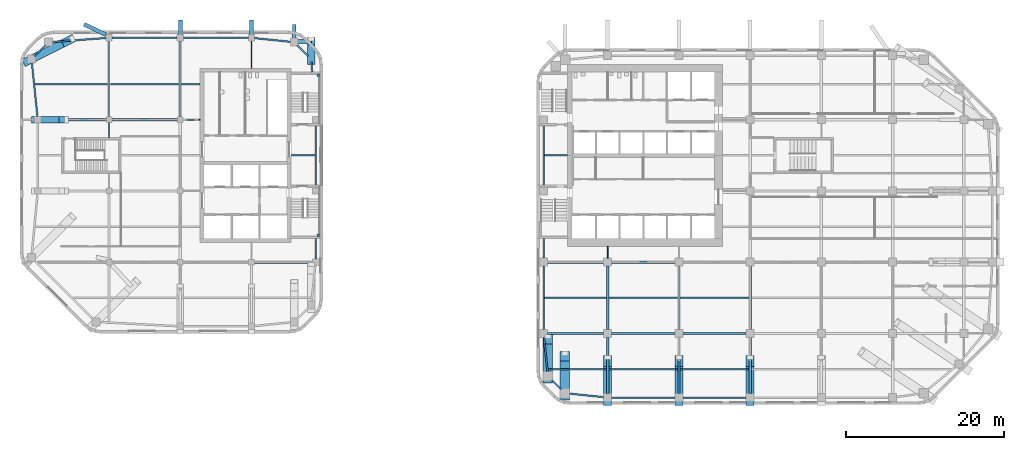
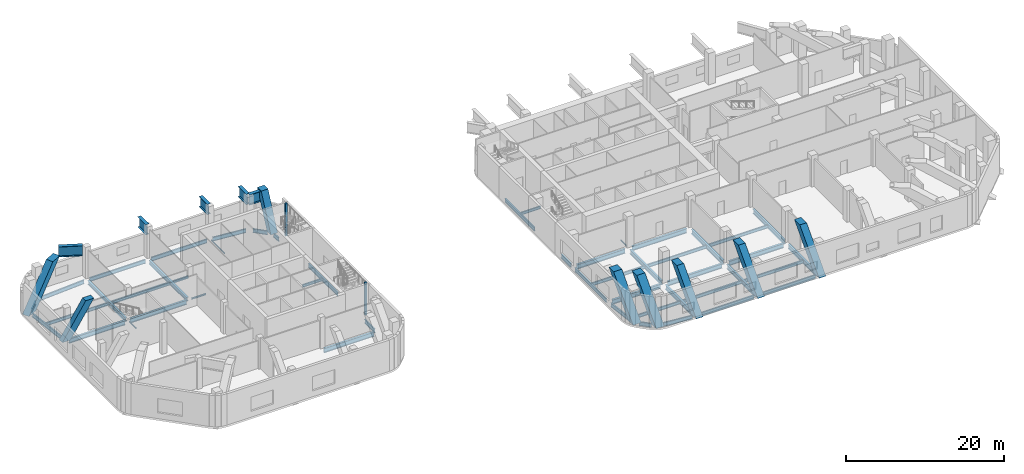
# One storey, part 2 of 14: 54 beams, 10 members.
"""IFC4 building model written with IfcOpenShell, lengths in metres."""

import ifcopenshell
import ifcopenshell.guid

model = None  # the IFC model being written
_history = None  # IfcOwnerHistory: only IFC2X3 demands one
_inside = {}  # id of a spatial element -> (the spatial element, [elements in it])
_under = {}  # id of a project, library or spatial element -> (it, [spatial elements below it])
_declared = {}  # id of a project -> (the project, [libraries it declares])
_typed = {}  # id of a type object -> (the type object, [elements of that type])
_made_of = {}  # id of a material, layer set ... -> (it, [elements and type objects made of it])


def new_model(schema):
    """Start an empty IFC model of exactly this schema.

    Asked for "IFC4X3", IfcOpenShell would pick the latest addendum, in which some entities
    have other attributes; the version numbers below select the first issue.
    IFC2X3 requires an IfcOwnerHistory on every rooted entity: one is made here for all.
    """
    global model, _history
    if schema == "IFC4X3":
        model = ifcopenshell.file(schema_version=(4, 3, 0, 0))
    else:
        model = ifcopenshell.file(schema=schema)
    _inside.clear()
    _under.clear()
    _declared.clear()
    _typed.clear()
    _made_of.clear()
    _history = None
    if model.schema == "IFC2X3":
        org = make("IfcOrganization", Name="unknown")
        user = make(
            "IfcPersonAndOrganization",
            ThePerson=make("IfcPerson", FamilyName="unknown"),
            TheOrganization=org,
        )
        app = make(
            "IfcApplication",
            ApplicationDeveloper=org,
            Version="unknown",
            ApplicationFullName="unknown",
            ApplicationIdentifier="unknown",
        )
        _history = make(
            "IfcOwnerHistory",
            OwningUser=user,
            OwningApplication=app,
            ChangeAction="ADDED",
            CreationDate=0,
        )
    return model


def make(cls, **values):
    """One entity of the class cls with the attributes given. An attribute that is None is left unset."""
    return model.create_entity(
        cls, **{name: value for name, value in values.items() if value is not None}
    )


def rooted(cls, **values):
    """An entity with a GlobalId (a new one), such as an element, a storey or a relation."""
    return make(cls, GlobalId=ifcopenshell.guid.new(), OwnerHistory=_history, **values)


def si_unit(unit_type, name, prefix=None):
    """IfcSIUnit, for example si_unit("LENGTHUNIT", "METRE", prefix="MILLI")."""
    return make("IfcSIUnit", UnitType=unit_type, Prefix=prefix, Name=name)


def assignment(units):
    """IfcUnitAssignment: the units of a project."""
    return None if units is None else make("IfcUnitAssignment", Units=units)


def point(xyz):
    """IfcCartesianPoint."""
    return None if xyz is None else make("IfcCartesianPoint", Coordinates=xyz)


def direction(xyz):
    """IfcDirection."""
    return None if xyz is None else make("IfcDirection", DirectionRatios=xyz)


def frame(location, z_axis=None, x_axis=None):
    """IfcAxis2Placement3D, a coordinate frame: its origin and axes. An axis left out is left unset."""
    return make(
        "IfcAxis2Placement3D",
        Location=point(location),
        Axis=direction(z_axis),
        RefDirection=direction(x_axis),
    )


def frame_2d(location, x_axis=None):
    """IfcAxis2Placement2D, a coordinate frame in the plane: its origin and x axis."""
    return make(
        "IfcAxis2Placement2D", Location=point(location), RefDirection=direction(x_axis)
    )


def origin():
    """The frame at (0, 0, 0) with its axes left unset."""
    return frame((0.0, 0.0, 0.0))


def origin_2d():
    """The frame at (0, 0) in the plane with its x axis left unset."""
    return frame_2d((0.0, 0.0))


def place(relative_to, where):
    """IfcLocalPlacement: puts the frame where relative to a parent placement (None: the world)."""
    return make(
        "IfcLocalPlacement", PlacementRelTo=relative_to, RelativePlacement=where
    )


def context(
    kind, dimensions, precision=None, world=None, true_north=None, identifier=None
):
    """IfcGeometricRepresentationContext, for example the 3D "Model" context."""
    return make(
        "IfcGeometricRepresentationContext",
        ContextIdentifier=identifier,
        ContextType=kind,
        CoordinateSpaceDimension=dimensions,
        Precision=precision,
        WorldCoordinateSystem=world,
        TrueNorth=true_north,
    )


def subcontext(parent, identifier, kind, view, scale=None):
    """IfcGeometricRepresentationSubContext, for example "Body" below "Model"."""
    return make(
        "IfcGeometricRepresentationSubContext",
        ContextIdentifier=identifier,
        ContextType=kind,
        ParentContext=parent,
        TargetScale=scale,
        TargetView=view,
    )


def project(units=None, contexts=None):
    """IfcProject with its units and contexts."""
    return rooted(
        "IfcProject",
        Name="project",
        RepresentationContexts=contexts,
        UnitsInContext=assignment(units),
    )


def spatial(cls, under=None, at=None, **own):
    """A site, building, storey or space (cls), placed at a placement, below another one or the project."""
    s = rooted(cls, ObjectPlacement=at, **own)
    if under is not None:
        _under.setdefault(under.id(), (under, []))[1].append(s)
    return s


def profile(cls, at=None, kind="AREA", **sizes):
    """A parametric profile (cls). Its sizes go by their IFC names, for example OverallWidth=200.0."""
    return make(cls, ProfileType=kind, Position=at, **sizes)


def rectangle(**sizes):
    """IfcRectangleProfileDef."""
    return profile("IfcRectangleProfileDef", **sizes)


def i_section(**sizes):
    """IfcIShapeProfileDef."""
    return profile("IfcIShapeProfileDef", **sizes)


def extrude(swept, where, along, depth):
    """IfcExtrudedAreaSolid: the profile swept, set in the frame where, extruded along a direction by depth."""
    return make(
        "IfcExtrudedAreaSolid",
        SweptArea=swept,
        Position=where,
        ExtrudedDirection=direction(along),
        Depth=depth,
    )


def shape(context_of_items, identifier, shape_type, items):
    """IfcShapeRepresentation: the items that make up one representation, for example the "Body"."""
    return make(
        "IfcShapeRepresentation",
        ContextOfItems=context_of_items,
        RepresentationIdentifier=identifier,
        RepresentationType=shape_type,
        Items=items,
    )


def material(Name=None, Category=None):
    """IfcMaterial."""
    return make("IfcMaterial", Name=Name, Category=Category)


def material_profile(
    of_material, cross_section, Name=None, Category=None, Priority=None
):
    """IfcMaterialProfile: a cross section and its material."""
    return make(
        "IfcMaterialProfile",
        Name=Name,
        Material=of_material,
        Profile=cross_section,
        Priority=Priority,
        Category=Category,
    )


def profile_set(profiles, Name=None, composite=None):
    """IfcMaterialProfileSet."""
    return make(
        "IfcMaterialProfileSet",
        Name=Name,
        MaterialProfiles=profiles,
        CompositeProfile=composite,
    )


def made_of(thing, what):
    """Note that an element or type object is made of a material, layer set ...; save() writes the relation."""
    if what is not None:
        _made_of.setdefault(what.id(), (what, []))[1].append(thing)
    return thing


def type_object(cls, material=None, **own):
    """A type object (cls), such as IfcWallType, which elements share."""
    return made_of(rooted(cls, **own), material)


def element(
    cls,
    number,
    at=None,
    inside=None,
    cuts=None,
    type_object=None,
    material=None,
    context=None,
    identifier="Body",
    shape_type=None,
    held_by="IfcProductDefinitionShape",
    body=None,
    shapes=None,
    **own,
):
    """One element of the class cls, such as IfcWall. Its Tag is "e" and its number.

    at: its placement. inside: the storey or other place that contains it. cuts: it is an
    opening in that element (IfcRelVoidsElement). A single representation is given by context,
    identifier, shape_type and body (its items); several are given by shapes. held_by: the class
    of the entity that holds the representations. save() writes the other relations.
    """
    e = rooted(cls, Tag="e%d" % number, ObjectPlacement=at, **own)
    if body is not None:
        shapes = [shape(context, identifier, shape_type, body)]
    if shapes is not None:
        e.Representation = make(held_by, Representations=shapes)
    if inside is not None:
        _inside.setdefault(inside.id(), (inside, []))[1].append(e)
    if cuts is not None:
        rooted(
            "IfcRelVoidsElement", RelatingBuildingElement=cuts, RelatedOpeningElement=e
        )
    if type_object is not None:
        _typed.setdefault(type_object.id(), (type_object, []))[1].append(e)
    return made_of(e, material)


def aggregate(whole, parts):
    """IfcRelAggregates: a whole, such as a stair, and the parts it consists of."""
    return rooted("IfcRelAggregates", RelatingObject=whole, RelatedObjects=parts)


def save(model, path):
    """Write the relations noted so far, then the file.

    IfcRelAggregates (storeys below a building ...), IfcRelContainedInSpatialStructure (elements
    in a storey), IfcRelDefinesByType, IfcRelAssociatesMaterial and IfcRelDeclares: one each for
    every whole, place, type object, material and project.
    """
    for whole, parts in _under.values():
        aggregate(whole, parts)
    for where, things in _inside.values():
        rooted(
            "IfcRelContainedInSpatialStructure",
            RelatedElements=things,
            RelatingStructure=where,
        )
    for kind, things in _typed.values():
        rooted("IfcRelDefinesByType", RelatedObjects=things, RelatingType=kind)
    for what, things in _made_of.values():
        rooted("IfcRelAssociatesMaterial", RelatedObjects=things, RelatingMaterial=what)
    for by, libraries in _declared.values():
        rooted("IfcRelDeclares", RelatingContext=by, RelatedDefinitions=libraries)
    model.write(path)


model = new_model("IFC4")

# Units and contexts
model_context = context("Model", 3, precision=1e-05, world=origin(), true_north=direction((0.0, 1.0)))
body_context = subcontext(model_context, "Body", "Model", "MODEL_VIEW")
ifc_project = project(units=[si_unit("LENGTHUNIT", "METRE"), si_unit("AREAUNIT", "SQUARE_METRE"), si_unit("VOLUMEUNIT", "CUBIC_METRE"), si_unit("PLANEANGLEUNIT", "RADIAN"), si_unit("MASSUNIT", "GRAM", prefix="KILO")], contexts=[model_context])

# Site, building, storey
site_placement = place(None, origin())
site = spatial("IfcSite", under=ifc_project, at=site_placement, CompositionType="ELEMENT")
building_placement = place(site_placement, origin())
building = spatial("IfcBuilding", under=site, at=building_placement, Name="Cinnabar Reach Civic Tower", CompositionType="ELEMENT")
storey_placement = place(building_placement, frame((0.0, 0.0, 95.0)))
storey = spatial("IfcBuildingStorey", under=building, at=storey_placement, Name="L22", CompositionType="ELEMENT", Elevation=95.0)

# Beams
ifc_material_1 = material(Name="Steel Q355B", Category="steel")
ifc_material_profile_1 = material_profile(ifc_material_1, i_section(OverallWidth=0.302, OverallDepth=0.594, WebThickness=0.014, FlangeThickness=0.023, FilletRadius=0.016, at=origin_2d()), Name="HM594x302x14x23")
ifc_profile_set_1 = profile_set([ifc_material_profile_1], Name="Steel Q355B")
beam_type_1 = type_object("IfcBeamType", Name="HM594x302x14x23 beam R 120", PredefinedType="BEAM", material=ifc_profile_set_1)
for number, where, z_axis, x_axis, name in (
    (1, (-54.0, 36.352, -0.597), (0.0, 1.0, 0.0), (-1.0, 0.0, 0.0), "Girder T2 L22 5"),
    (2, (-45.0, 36.352, -0.597), (0.0, 1.0, 0.0), (-1.0, 0.0, 0.0), "Girder T2 L22 9"),
):
    element("IfcBeam", number, at=place(storey_placement, frame(where, z_axis=z_axis, x_axis=x_axis)), inside=storey, type_object=beam_type_1, Name=name, PredefinedType="BEAM", context=body_context, shape_type="SweptSolid", body=[
        extrude(i_section(OverallWidth=0.302, OverallDepth=0.594, WebThickness=0.014, FlangeThickness=0.023, FilletRadius=0.016, at=origin_2d()), origin(), (0.0, 0.0, 1.0), 9.596),
    ])
ifc_material_profile_2 = material_profile(ifc_material_1, i_section(OverallWidth=0.099, OverallDepth=0.198, WebThickness=0.0045, FlangeThickness=0.007, FilletRadius=0.013, at=origin_2d()), Name="HN200x100x5.5x8")
ifc_profile_set_2 = profile_set([ifc_material_profile_2], Name="Steel Q355B")
beam_type_2 = type_object("IfcBeamType", Name="HN200x100x5.5x8 beam R 120", PredefinedType="BEAM", material=ifc_profile_set_2)
beam_1_placement = place(storey_placement, frame((-54.0, 33.752, -0.399), z_axis=(0.0, 1.0, 0.0), x_axis=(-1.0, 0.0, 0.0)))
element("IfcBeam", 3, at=beam_1_placement, inside=storey, type_object=beam_type_2, Name="Girder T2 L22 4", PredefinedType="BEAM", context=body_context, shape_type="SweptSolid", body=[
    extrude(i_section(OverallWidth=0.099, OverallDepth=0.198, WebThickness=0.0045, FlangeThickness=0.007, FilletRadius=0.013, at=origin_2d()), origin(), (0.0, 0.0, 1.0), 1.896),
])
beam_2_placement = place(storey_placement, frame((-36.0, 42.502, -0.399), z_axis=(0.0, 1.0, 0.0), x_axis=(-1.0, 0.0, 0.0)))
element("IfcBeam", 4, at=beam_2_placement, inside=storey, type_object=beam_type_2, Name="Girder T2 L22 12", PredefinedType="BEAM", context=body_context, shape_type="SweptSolid", body=[
    extrude(i_section(OverallWidth=0.099, OverallDepth=0.198, WebThickness=0.0045, FlangeThickness=0.007, FilletRadius=0.013, at=origin_2d()), origin(), (0.0, 0.0, 1.0), 3.446),
])
ifc_material_profile_3 = material_profile(ifc_material_1, i_section(OverallWidth=0.099, OverallDepth=0.198, WebThickness=0.0045, FlangeThickness=0.007, FilletRadius=0.013, at=origin_2d()), Name="HN200x100x5.5x8")
ifc_profile_set_3 = profile_set([ifc_material_profile_3], Name="Steel Q355B")
beam_type_3 = type_object("IfcBeamType", Name="HN200x100x5.5x8 beam R 180", PredefinedType="BEAM", material=ifc_profile_set_3)
beam_3_placement = place(storey_placement, frame((9.0, 18.502, -0.399), z_axis=(0.0, 1.0, 0.0), x_axis=(-1.0, 0.0, 0.0)))
element("IfcBeam", 5, at=beam_3_placement, inside=storey, type_object=beam_type_3, Name="Girder T1 L22 3", PredefinedType="BEAM", context=body_context, shape_type="SweptSolid", body=[
    extrude(i_section(OverallWidth=0.099, OverallDepth=0.198, WebThickness=0.0045, FlangeThickness=0.007, FilletRadius=0.013, at=origin_2d()), origin(), (0.0, 0.0, 1.0), 1.496),
])
ifc_material_profile_4 = material_profile(ifc_material_1, i_section(OverallWidth=0.124, OverallDepth=0.248, WebThickness=0.005, FlangeThickness=0.008, FilletRadius=0.013, at=origin_2d()), Name="HN250x125x6x9")
ifc_profile_set_4 = profile_set([ifc_material_profile_4], Name="Steel Q355B")
beam_type_4 = type_object("IfcBeamType", Name="HN250x125x6x9 beam R 120", PredefinedType="BEAM", material=ifc_profile_set_4)
beam_4_placement = place(storey_placement, frame((-44.648, 36.0, -0.424), z_axis=(1.0, 0.0, 0.0), x_axis=(0.0, 1.0, 0.0)))
element("IfcBeam", 6, at=beam_4_placement, inside=storey, type_object=beam_type_4, Name="Girder T2 L22 10", PredefinedType="BEAM", context=body_context, shape_type="SweptSolid", body=[
    extrude(i_section(OverallWidth=0.124, OverallDepth=0.248, WebThickness=0.005, FlangeThickness=0.008, FilletRadius=0.013, at=origin_2d()), origin(), (0.0, 0.0, 1.0), 2.146),
])
ifc_material_profile_5 = material_profile(ifc_material_1, i_section(OverallWidth=0.199, OverallDepth=0.396, WebThickness=0.007, FlangeThickness=0.011, FilletRadius=0.013, at=origin_2d()), Name="HN396x199x7x11")
ifc_profile_set_5 = profile_set([ifc_material_profile_5], Name="Steel Q355B")
beam_type_5 = type_object("IfcBeamType", Name="HN396x199x7x11 beam R 120", PredefinedType="BEAM", material=ifc_profile_set_5)
beam_5_placement = place(storey_placement, frame((-30.998, 31.5, -0.498), z_axis=(1.0, 0.0, 0.0), x_axis=(0.0, 1.0, 0.0)))
element("IfcBeam", 7, at=beam_5_placement, inside=storey, type_object=beam_type_5, Name="Secondary beam T2 L22 11", PredefinedType="BEAM", context=body_context, shape_type="SweptSolid", body=[
    extrude(i_section(OverallWidth=0.199, OverallDepth=0.396, WebThickness=0.007, FlangeThickness=0.011, FilletRadius=0.013, at=origin_2d()), origin(), (0.0, 0.0, 1.0), 2.996),
])
beam_6_placement = place(storey_placement, frame((-44.847, 40.5, -0.498), z_axis=(1.0, 0.0, 0.0), x_axis=(0.0, 1.0, 0.0)))
element("IfcBeam", 8, at=beam_6_placement, inside=storey, type_object=beam_type_5, Name="Secondary beam T2 L22 14", PredefinedType="BEAM", context=body_context, shape_type="SweptSolid", body=[
    extrude(i_section(OverallWidth=0.199, OverallDepth=0.396, WebThickness=0.007, FlangeThickness=0.011, FilletRadius=0.013, at=origin_2d()), origin(), (0.0, 0.0, 1.0), 2.345),
])
ifc_material_profile_6 = material_profile(ifc_material_1, i_section(OverallWidth=0.2, OverallDepth=0.4, WebThickness=0.008, FlangeThickness=0.013, FilletRadius=0.016, at=origin_2d()), Name="HN400x200x8x13")
ifc_profile_set_6 = profile_set([ifc_material_profile_6], Name="Steel Q355B")
beam_type_6 = type_object("IfcBeamType", Name="HN400x200x8x13 beam R 180", PredefinedType="BEAM", material=ifc_profile_set_6)
beam_7_placement = place(storey_placement, frame((1.002, 31.5, -0.5), z_axis=(1.0, 0.0, 0.0), x_axis=(0.0, 1.0, 0.0)))
element("IfcBeam", 9, at=beam_7_placement, inside=storey, type_object=beam_type_6, Name="Secondary beam T1 L22 19", PredefinedType="BEAM", context=body_context, shape_type="SweptSolid", body=[
    extrude(i_section(OverallWidth=0.2, OverallDepth=0.4, WebThickness=0.008, FlangeThickness=0.013, FilletRadius=0.016, at=origin_2d()), origin(), (0.0, 0.0, 1.0), 2.896),
])
ifc_material_profile_7 = material_profile(ifc_material_1, i_section(OverallWidth=0.199, OverallDepth=0.496, WebThickness=0.009, FlangeThickness=0.014, FilletRadius=0.016, at=origin_2d()), Name="HN496x199x9x14")
ifc_profile_set_7 = profile_set([ifc_material_profile_7], Name="Steel Q355B")
beam_type_7 = type_object("IfcBeamType", Name="HN496x199x9x14 beam R 120", PredefinedType="BEAM", material=ifc_profile_set_7)
beam_8_placement = place(storey_placement, frame((-63.3663, 40.5, -0.548), z_axis=(1.0, 0.0, 0.0), x_axis=(0.0, 1.0, 0.0)))
element("IfcBeam", 10, at=beam_8_placement, inside=storey, type_object=beam_type_7, Name="Secondary beam T2 L22 12", PredefinedType="BEAM", context=body_context, shape_type="SweptSolid", body=[
    extrude(i_section(OverallWidth=0.199, OverallDepth=0.496, WebThickness=0.009, FlangeThickness=0.014, FilletRadius=0.016, at=origin_2d()), origin(), (0.0, 0.0, 1.0), 9.2133),
])
beam_9_placement = place(storey_placement, frame((-53.847, 40.5, -0.548), z_axis=(1.0, 0.0, 0.0), x_axis=(0.0, 1.0, 0.0)))
element("IfcBeam", 11, at=beam_9_placement, inside=storey, type_object=beam_type_7, Name="Secondary beam T2 L22 13", PredefinedType="BEAM", context=body_context, shape_type="SweptSolid", body=[
    extrude(i_section(OverallWidth=0.199, OverallDepth=0.496, WebThickness=0.009, FlangeThickness=0.014, FilletRadius=0.016, at=origin_2d()), origin(), (0.0, 0.0, 1.0), 8.694),
])
ifc_material_profile_8 = material_profile(ifc_material_1, i_section(OverallWidth=0.2, OverallDepth=0.5, WebThickness=0.01, FlangeThickness=0.016, FilletRadius=0.016, at=origin_2d()), Name="HN500x200x10x16")
ifc_profile_set_8 = profile_set([ifc_material_profile_8], Name="Steel Q355B")
beam_type_8 = type_object("IfcBeamType", Name="HN500x200x10x16 beam R 180", PredefinedType="BEAM", material=ifc_profile_set_8)
beam_10_placement = place(storey_placement, frame((1.4636, 4.5, -0.55), z_axis=(1.0, 0.0, 0.0), x_axis=(0.0, 1.0, 0.0)))
element("IfcBeam", 12, at=beam_10_placement, inside=storey, type_object=beam_type_8, Name="Secondary beam T1 L22 1", PredefinedType="BEAM", context=body_context, shape_type="SweptSolid", body=[
    extrude(i_section(OverallWidth=0.2, OverallDepth=0.5, WebThickness=0.01, FlangeThickness=0.016, FilletRadius=0.016, at=origin_2d()), origin(), (0.0, 0.0, 1.0), 7.3844),
])
for number, where, z_axis, x_axis, name in (
    (13, (9.152, 4.5, -0.55), (1.0, 0.0, 0.0), (0.0, 1.0, 0.0), "Secondary beam T1 L22 2"),
    (14, (18.152, 4.5, -0.55), (1.0, 0.0, 0.0), (0.0, 1.0, 0.0), "Secondary beam T1 L22 3"),
):
    element("IfcBeam", number, at=place(storey_placement, frame(where, z_axis=z_axis, x_axis=x_axis)), inside=storey, type_object=beam_type_8, Name=name, PredefinedType="BEAM", context=body_context, shape_type="SweptSolid", body=[
        extrude(i_section(OverallWidth=0.2, OverallDepth=0.5, WebThickness=0.01, FlangeThickness=0.016, FilletRadius=0.016, at=origin_2d()), origin(), (0.0, 0.0, 1.0), 8.696),
    ])
beam_11_placement = place(storey_placement, frame((1.002, 13.5, -0.55), z_axis=(1.0, 0.0, 0.0), x_axis=(0.0, 1.0, 0.0)))
element("IfcBeam", 15, at=beam_11_placement, inside=storey, type_object=beam_type_8, Name="Secondary beam T1 L22 7", PredefinedType="BEAM", context=body_context, shape_type="SweptSolid", body=[
    extrude(i_section(OverallWidth=0.2, OverallDepth=0.5, WebThickness=0.01, FlangeThickness=0.016, FilletRadius=0.016, at=origin_2d()), origin(), (0.0, 0.0, 1.0), 7.846),
])
for number, where, z_axis, x_axis, name in (
    (16, (9.152, 13.5, -0.55), (1.0, 0.0, 0.0), (0.0, 1.0, 0.0), "Secondary beam T1 L22 8"),
    (17, (18.152, 13.5, -0.55), (1.0, 0.0, 0.0), (0.0, 1.0, 0.0), "Secondary beam T1 L22 9"),
):
    element("IfcBeam", number, at=place(storey_placement, frame(where, z_axis=z_axis, x_axis=x_axis)), inside=storey, type_object=beam_type_8, Name=name, PredefinedType="BEAM", context=body_context, shape_type="SweptSolid", body=[
        extrude(i_section(OverallWidth=0.2, OverallDepth=0.5, WebThickness=0.01, FlangeThickness=0.016, FilletRadius=0.016, at=origin_2d()), origin(), (0.0, 0.0, 1.0), 8.696),
    ])
ifc_material_profile_9 = material_profile(ifc_material_1, i_section(OverallWidth=0.2, OverallDepth=0.6, WebThickness=0.011, FlangeThickness=0.017, FilletRadius=0.016, at=origin_2d()), Name="HN600x200x11x17")
ifc_profile_set_9 = profile_set([ifc_material_profile_9], Name="Steel Q355B")
beam_type_9 = type_object("IfcBeamType", Name="HN600x200x11x17 beam R 120", PredefinedType="BEAM", material=ifc_profile_set_9)
beam_12_placement = place(storey_placement, frame((-27.9, 18.402, -0.6), z_axis=(0.0, 1.0, 0.0), x_axis=(-1.0, 0.0, 0.0)))
element("IfcBeam", 18, at=beam_12_placement, inside=storey, type_object=beam_type_9, Name="Edge beam T2 L22 6", PredefinedType="BEAM", context=body_context, shape_type="SweptSolid", body=[
    extrude(i_section(OverallWidth=0.2, OverallDepth=0.6, WebThickness=0.011, FlangeThickness=0.017, FilletRadius=0.016, at=origin_2d()), origin(), (0.0, 0.0, 1.0), 2.596),
])
beam_13_placement = place(storey_placement, frame((-27.9, 27.752, -0.6), z_axis=(0.0, 1.0, 0.0), x_axis=(-1.0, 0.0, 0.0)))
element("IfcBeam", 19, at=beam_13_placement, inside=storey, type_object=beam_type_9, Name="Edge beam T2 L22 7", PredefinedType="BEAM", context=body_context, shape_type="SweptSolid", body=[
    extrude(i_section(OverallWidth=0.2, OverallDepth=0.6, WebThickness=0.011, FlangeThickness=0.017, FilletRadius=0.016, at=origin_2d()), origin(), (0.0, 0.0, 1.0), 7.496),
])
beam_14_placement = place(storey_placement, frame((-28.3341, 42.002, -0.6), z_axis=(-0.072116143061, 0.997396241175, 0.0), x_axis=(-0.997396241175, -0.072116143061, 0.0)))
element("IfcBeam", 20, at=beam_14_placement, inside=storey, type_object=beam_type_9, Name="Edge beam T2 L22 8", PredefinedType="BEAM", context=body_context, shape_type="SweptSolid", body=[
    extrude(i_section(OverallWidth=0.2, OverallDepth=0.6, WebThickness=0.011, FlangeThickness=0.017, FilletRadius=0.016, at=origin_2d()), origin(), (0.0, 0.0, 1.0), 1.2674),
])
beam_15_placement = place(storey_placement, frame((-28.8351, 44.0301, -0.6), z_axis=(-0.707106781187, 0.707106781187, 0.0), x_axis=(-0.707106781187, -0.707106781187, 0.0)))
element("IfcBeam", 21, at=beam_15_placement, inside=storey, type_object=beam_type_9, Name="Edge beam T2 L22 9", PredefinedType="BEAM", context=body_context, shape_type="SweptSolid", body=[
    extrude(i_section(OverallWidth=0.2, OverallDepth=0.6, WebThickness=0.011, FlangeThickness=0.017, FilletRadius=0.016, at=origin_2d()), origin(), (0.0, 0.0, 1.0), 1.9584),
])
beam_16_placement = place(storey_placement, frame((-30.9839, 45.836, -0.6), z_axis=(-0.994791084875, 0.101934770579, 0.0), x_axis=(-0.101934770579, -0.994791084875, 0.0)))
element("IfcBeam", 22, at=beam_16_placement, inside=storey, type_object=beam_type_9, Name="Edge beam T2 L22 10", PredefinedType="BEAM", context=body_context, shape_type="SweptSolid", body=[
    extrude(i_section(OverallWidth=0.2, OverallDepth=0.6, WebThickness=0.011, FlangeThickness=0.017, FilletRadius=0.016, at=origin_2d()), origin(), (0.0, 0.0, 1.0), 4.6383),
])
for number, where, z_axis, x_axis, name in (
    (23, (-36.402, 46.35, -0.6), (-1.0, 0.0, 0.0), (0.0, -1.0, 0.0), "Edge beam T2 L22 11"),
    (24, (-45.402, 46.35, -0.6), (-1.0, 0.0, 0.0), (0.0, -1.0, 0.0), "Edge beam T2 L22 12"),
):
    element("IfcBeam", number, at=place(storey_placement, frame(where, z_axis=z_axis, x_axis=x_axis)), inside=storey, type_object=beam_type_9, Name=name, PredefinedType="BEAM", context=body_context, shape_type="SweptSolid", body=[
        extrude(i_section(OverallWidth=0.2, OverallDepth=0.6, WebThickness=0.011, FlangeThickness=0.017, FilletRadius=0.016, at=origin_2d()), origin(), (0.0, 0.0, 1.0), 8.196),
    ])
beam_17_placement = place(storey_placement, frame((-54.402, 46.3209, -0.6), z_axis=(-0.997395244781, -0.072129922278, 0.0), x_axis=(0.072129922278, -0.997395244781, 0.0)))
element("IfcBeam", 25, at=beam_17_placement, inside=storey, type_object=beam_type_9, Name="Edge beam T2 L22 13", PredefinedType="BEAM", context=body_context, shape_type="SweptSolid", body=[
    extrude(i_section(OverallWidth=0.2, OverallDepth=0.6, WebThickness=0.011, FlangeThickness=0.017, FilletRadius=0.016, at=origin_2d()), origin(), (0.0, 0.0, 1.0), 6.882),
])
beam_18_placement = place(storey_placement, frame((-62.0301, 45.4149, -0.6), z_axis=(-0.707106781187, -0.707106781187, 0.0), x_axis=(0.707106781187, -0.707106781187, 0.0)))
element("IfcBeam", 26, at=beam_18_placement, inside=storey, type_object=beam_type_9, Name="Edge beam T2 L22 14", PredefinedType="BEAM", context=body_context, shape_type="SweptSolid", body=[
    extrude(i_section(OverallWidth=0.2, OverallDepth=0.6, WebThickness=0.011, FlangeThickness=0.017, FilletRadius=0.016, at=origin_2d()), origin(), (0.0, 0.0, 1.0), 1.9584),
])
beam_19_placement = place(storey_placement, frame((-63.7571, 43.2661, -0.6), z_axis=(0.103633260175, -0.994615577691, 0.0), x_axis=(0.994615577691, 0.103633260175, 0.0)))
element("IfcBeam", 27, at=beam_19_placement, inside=storey, type_object=beam_type_9, Name="Edge beam T2 L22 15", PredefinedType="BEAM", context=body_context, shape_type="SweptSolid", body=[
    extrude(i_section(OverallWidth=0.2, OverallDepth=0.6, WebThickness=0.011, FlangeThickness=0.017, FilletRadius=0.016, at=origin_2d()), origin(), (0.0, 0.0, 1.0), 6.9013),
])
ifc_material_profile_10 = material_profile(ifc_material_1, i_section(OverallWidth=0.2, OverallDepth=0.6, WebThickness=0.011, FlangeThickness=0.017, FilletRadius=0.016, at=origin_2d()), Name="HN600x200x11x17")
ifc_profile_set_10 = profile_set([ifc_material_profile_10], Name="Steel Q355B")
beam_type_10 = type_object("IfcBeamType", Name="HN600x200x11x17 beam R 180", PredefinedType="BEAM", material=ifc_profile_set_10)
beam_20_placement = place(storey_placement, frame((4.0839, 1.4037, -0.6), z_axis=(0.994791228755, -0.101933366432, 0.0), x_axis=(0.101933366432, 0.994791228755, 0.0)))
element("IfcBeam", 28, at=beam_20_placement, inside=storey, type_object=beam_type_10, Name="Edge beam T1 L22 1", PredefinedType="BEAM", context=body_context, shape_type="SweptSolid", body=[
    extrude(i_section(OverallWidth=0.2, OverallDepth=0.6, WebThickness=0.011, FlangeThickness=0.017, FilletRadius=0.016, at=origin_2d()), origin(), (0.0, 0.0, 1.0), 4.4372),
])
for number, where, z_axis, x_axis, name in (
    (29, (9.502, 0.9, -0.6), (1.0, 0.0, 0.0), (0.0, 1.0, 0.0), "Edge beam T1 L22 2"),
    (30, (18.502, 0.9, -0.6), (1.0, 0.0, 0.0), (0.0, 1.0, 0.0), "Edge beam T1 L22 3"),
):
    element("IfcBeam", number, at=place(storey_placement, frame(where, z_axis=z_axis, x_axis=x_axis)), inside=storey, type_object=beam_type_10, Name=name, PredefinedType="BEAM", context=body_context, shape_type="SweptSolid", body=[
        extrude(i_section(OverallWidth=0.2, OverallDepth=0.6, WebThickness=0.011, FlangeThickness=0.017, FilletRadius=0.016, at=origin_2d()), origin(), (0.0, 0.0, 1.0), 7.996),
    ])
beam_21_placement = place(storey_placement, frame((0.9, 35.248, -0.6), z_axis=(0.0, -1.0, 0.0), x_axis=(1.0, 0.0, 0.0)))
element("IfcBeam", 31, at=beam_21_placement, inside=storey, type_object=beam_type_10, Name="Edge beam T1 L22 20", PredefinedType="BEAM", context=body_context, shape_type="SweptSolid", body=[
    extrude(i_section(OverallWidth=0.2, OverallDepth=0.6, WebThickness=0.011, FlangeThickness=0.017, FilletRadius=0.016, at=origin_2d()), origin(), (0.0, 0.0, 1.0), 7.496),
])
beam_22_placement = place(storey_placement, frame((0.9, 20.998, -0.6), z_axis=(0.0, -1.0, 0.0), x_axis=(1.0, 0.0, 0.0)))
element("IfcBeam", 32, at=beam_22_placement, inside=storey, type_object=beam_type_10, Name="Edge beam T1 L22 21", PredefinedType="BEAM", context=body_context, shape_type="SweptSolid", body=[
    extrude(i_section(OverallWidth=0.2, OverallDepth=0.6, WebThickness=0.011, FlangeThickness=0.017, FilletRadius=0.016, at=origin_2d()), origin(), (0.0, 0.0, 1.0), 2.496),
])
beam_23_placement = place(storey_placement, frame((0.9, 17.498, -0.6), z_axis=(0.0, -1.0, 0.0), x_axis=(1.0, 0.0, 0.0)))
element("IfcBeam", 33, at=beam_23_placement, inside=storey, type_object=beam_type_10, Name="Edge beam T1 L22 22", PredefinedType="BEAM", context=body_context, shape_type="SweptSolid", body=[
    extrude(i_section(OverallWidth=0.2, OverallDepth=0.6, WebThickness=0.011, FlangeThickness=0.017, FilletRadius=0.016, at=origin_2d()), origin(), (0.0, 0.0, 1.0), 7.996),
])
beam_24_placement = place(storey_placement, frame((0.9514, 8.498, -0.6), z_axis=(0.101933366432, -0.994791228755, 0.0), x_axis=(0.994791228755, 0.101933366432, 0.0)))
element("IfcBeam", 34, at=beam_24_placement, inside=storey, type_object=beam_type_10, Name="Edge beam T1 L22 23", PredefinedType="BEAM", context=body_context, shape_type="SweptSolid", body=[
    extrude(i_section(OverallWidth=0.2, OverallDepth=0.6, WebThickness=0.011, FlangeThickness=0.017, FilletRadius=0.016, at=origin_2d()), origin(), (0.0, 0.0, 1.0), 4.4372),
])
beam_25_placement = place(storey_placement, frame((1.9351, 3.1199, -0.6), z_axis=(0.707106781187, -0.707106781187, 0.0), x_axis=(0.707106781187, 0.707106781187, 0.0)))
element("IfcBeam", 35, at=beam_25_placement, inside=storey, type_object=beam_type_10, Name="Edge beam T1 L22 24", PredefinedType="BEAM", context=body_context, shape_type="SweptSolid", body=[
    extrude(i_section(OverallWidth=0.2, OverallDepth=0.6, WebThickness=0.011, FlangeThickness=0.017, FilletRadius=0.016, at=origin_2d()), origin(), (0.0, 0.0, 1.0), 1.6756),
])
ifc_material_profile_11 = material_profile(ifc_material_1, i_section(OverallWidth=0.3, OverallDepth=0.692, WebThickness=0.013, FlangeThickness=0.02, FilletRadius=0.016, at=origin_2d()), Name="HN692x300x13x20")
ifc_profile_set_11 = profile_set([ifc_material_profile_11], Name="Steel Q355B")
beam_type_11 = type_object("IfcBeamType", Name="HN692x300x13x20 beam R 120", PredefinedType="BEAM", material=ifc_profile_set_11)
beam_26_placement = place(storey_placement, frame((-35.648, 18.0, -0.646), z_axis=(1.0, 0.0, 0.0), x_axis=(0.0, 1.0, 0.0)))
element("IfcBeam", 36, at=beam_26_placement, inside=storey, type_object=beam_type_11, Name="Girder T2 L22 4", PredefinedType="BEAM", context=body_context, shape_type="SweptSolid", body=[
    extrude(i_section(OverallWidth=0.3, OverallDepth=0.692, WebThickness=0.013, FlangeThickness=0.02, FilletRadius=0.016, at=origin_2d()), origin(), (0.0, 0.0, 1.0), 7.346),
])
beam_27_placement = place(storey_placement, frame((-62.598, 36.0, -0.646), z_axis=(1.0, 0.0, 0.0), x_axis=(0.0, 1.0, 0.0)))
element("IfcBeam", 37, at=beam_27_placement, inside=storey, type_object=beam_type_11, Name="Girder T2 L22 8", PredefinedType="BEAM", context=body_context, shape_type="SweptSolid", body=[
    extrude(i_section(OverallWidth=0.3, OverallDepth=0.692, WebThickness=0.013, FlangeThickness=0.02, FilletRadius=0.016, at=origin_2d()), origin(), (0.0, 0.0, 1.0), 8.246),
])
beam_28_placement = place(storey_placement, frame((-53.648, 36.0, -0.646), z_axis=(1.0, 0.0, 0.0), x_axis=(0.0, 1.0, 0.0)))
element("IfcBeam", 38, at=beam_28_placement, inside=storey, type_object=beam_type_11, Name="Girder T2 L22 9", PredefinedType="BEAM", context=body_context, shape_type="SweptSolid", body=[
    extrude(i_section(OverallWidth=0.3, OverallDepth=0.692, WebThickness=0.013, FlangeThickness=0.02, FilletRadius=0.016, at=origin_2d()), origin(), (0.0, 0.0, 1.0), 8.296),
])
ifc_material_profile_12 = material_profile(ifc_material_1, i_section(OverallWidth=0.3, OverallDepth=0.692, WebThickness=0.013, FlangeThickness=0.02, FilletRadius=0.016, at=origin_2d()), Name="HN692x300x13x20")
ifc_profile_set_12 = profile_set([ifc_material_profile_12], Name="Steel Q355B")
beam_type_12 = type_object("IfcBeamType", Name="HN692x300x13x20 beam R 180", PredefinedType="BEAM", material=ifc_profile_set_12)
beam_29_placement = place(storey_placement, frame((9.0, 1.402, -0.646), z_axis=(0.0, 1.0, 0.0), x_axis=(-1.0, 0.0, 0.0)))
element("IfcBeam", 39, at=beam_29_placement, inside=storey, type_object=beam_type_12, Name="Girder T1 L22 1", PredefinedType="BEAM", context=body_context, shape_type="SweptSolid", body=[
    extrude(i_section(OverallWidth=0.3, OverallDepth=0.692, WebThickness=0.013, FlangeThickness=0.02, FilletRadius=0.016, at=origin_2d()), origin(), (0.0, 0.0, 1.0), 7.096),
])
beam_30_placement = place(storey_placement, frame((9.0, 9.502, -0.646), z_axis=(0.0, 1.0, 0.0), x_axis=(-1.0, 0.0, 0.0)))
element("IfcBeam", 40, at=beam_30_placement, inside=storey, type_object=beam_type_12, Name="Girder T1 L22 2", PredefinedType="BEAM", context=body_context, shape_type="SweptSolid", body=[
    extrude(i_section(OverallWidth=0.3, OverallDepth=0.692, WebThickness=0.013, FlangeThickness=0.02, FilletRadius=0.016, at=origin_2d()), origin(), (0.0, 0.0, 1.0), 7.996),
])
beam_31_placement = place(storey_placement, frame((18.0, 1.402, -0.646), z_axis=(0.0, 1.0, 0.0), x_axis=(-1.0, 0.0, 0.0)))
element("IfcBeam", 41, at=beam_31_placement, inside=storey, type_object=beam_type_12, Name="Girder T1 L22 4", PredefinedType="BEAM", context=body_context, shape_type="SweptSolid", body=[
    extrude(i_section(OverallWidth=0.3, OverallDepth=0.692, WebThickness=0.013, FlangeThickness=0.02, FilletRadius=0.016, at=origin_2d()), origin(), (0.0, 0.0, 1.0), 7.096),
])
beam_32_placement = place(storey_placement, frame((18.0, 9.502, -0.646), z_axis=(0.0, 1.0, 0.0), x_axis=(-1.0, 0.0, 0.0)))
element("IfcBeam", 42, at=beam_32_placement, inside=storey, type_object=beam_type_12, Name="Girder T1 L22 5", PredefinedType="BEAM", context=body_context, shape_type="SweptSolid", body=[
    extrude(i_section(OverallWidth=0.3, OverallDepth=0.692, WebThickness=0.013, FlangeThickness=0.02, FilletRadius=0.016, at=origin_2d()), origin(), (0.0, 0.0, 1.0), 7.996),
])
beam_33_placement = place(storey_placement, frame((27.0, 1.402, -0.646), z_axis=(0.0, 1.0, 0.0), x_axis=(-1.0, 0.0, 0.0)))
element("IfcBeam", 43, at=beam_33_placement, inside=storey, type_object=beam_type_12, Name="Girder T1 L22 7", PredefinedType="BEAM", context=body_context, shape_type="SweptSolid", body=[
    extrude(i_section(OverallWidth=0.3, OverallDepth=0.692, WebThickness=0.013, FlangeThickness=0.02, FilletRadius=0.016, at=origin_2d()), origin(), (0.0, 0.0, 1.0), 7.096),
])
beam_34_placement = place(storey_placement, frame((27.0, 9.502, -0.646), z_axis=(0.0, 1.0, 0.0), x_axis=(-1.0, 0.0, 0.0)))
element("IfcBeam", 44, at=beam_34_placement, inside=storey, type_object=beam_type_12, Name="Girder T1 L22 8", PredefinedType="BEAM", context=body_context, shape_type="SweptSolid", body=[
    extrude(i_section(OverallWidth=0.3, OverallDepth=0.692, WebThickness=0.013, FlangeThickness=0.02, FilletRadius=0.016, at=origin_2d()), origin(), (0.0, 0.0, 1.0), 7.996),
])
ifc_material_profile_13 = material_profile(ifc_material_1, i_section(OverallWidth=0.3, OverallDepth=0.7, WebThickness=0.013, FlangeThickness=0.024, FilletRadius=0.02, at=origin_2d()), Name="HN700x300x13x24")
ifc_profile_set_13 = profile_set([ifc_material_profile_13], Name="Steel Q355B")
beam_type_13 = type_object("IfcBeamType", Name="HN700x300x13x24 beam R 180", PredefinedType="BEAM", material=ifc_profile_set_13)
beam_35_placement = place(storey_placement, frame((1.402, 9.0, -0.65), z_axis=(1.0, 0.0, 0.0), x_axis=(0.0, 1.0, 0.0)))
element("IfcBeam", 45, at=beam_35_placement, inside=storey, type_object=beam_type_13, Name="Girder T1 L22 1", PredefinedType="BEAM", context=body_context, shape_type="SweptSolid", body=[
    extrude(i_section(OverallWidth=0.3, OverallDepth=0.7, WebThickness=0.013, FlangeThickness=0.024, FilletRadius=0.02, at=origin_2d()), origin(), (0.0, 0.0, 1.0), 7.096),
])
for number, where, z_axis, x_axis, name in (
    (46, (9.502, 9.0, -0.65), (1.0, 0.0, 0.0), (0.0, 1.0, 0.0), "Girder T1 L22 2"),
    (47, (18.502, 9.0, -0.65), (1.0, 0.0, 0.0), (0.0, 1.0, 0.0), "Girder T1 L22 3"),
):
    element("IfcBeam", number, at=place(storey_placement, frame(where, z_axis=z_axis, x_axis=x_axis)), inside=storey, type_object=beam_type_13, Name=name, PredefinedType="BEAM", context=body_context, shape_type="SweptSolid", body=[
        extrude(i_section(OverallWidth=0.3, OverallDepth=0.7, WebThickness=0.013, FlangeThickness=0.024, FilletRadius=0.02, at=origin_2d()), origin(), (0.0, 0.0, 1.0), 7.996),
    ])
beam_36_placement = place(storey_placement, frame((1.402, 18.0, -0.65), z_axis=(1.0, 0.0, 0.0), x_axis=(0.0, 1.0, 0.0)))
element("IfcBeam", 48, at=beam_36_placement, inside=storey, type_object=beam_type_13, Name="Girder T1 L22 8", PredefinedType="BEAM", context=body_context, shape_type="SweptSolid", body=[
    extrude(i_section(OverallWidth=0.3, OverallDepth=0.7, WebThickness=0.013, FlangeThickness=0.024, FilletRadius=0.02, at=origin_2d()), origin(), (0.0, 0.0, 1.0), 7.096),
])
beam_37_placement = place(storey_placement, frame((9.502, 18.0, -0.65), z_axis=(1.0, 0.0, 0.0), x_axis=(0.0, 1.0, 0.0)))
element("IfcBeam", 49, at=beam_37_placement, inside=storey, type_object=beam_type_13, Name="Girder T1 L22 9", PredefinedType="BEAM", context=body_context, shape_type="SweptSolid", body=[
    extrude(i_section(OverallWidth=0.3, OverallDepth=0.7, WebThickness=0.013, FlangeThickness=0.024, FilletRadius=0.02, at=origin_2d()), origin(), (0.0, 0.0, 1.0), 7.996),
])

# Members
ifc_material_2 = material(Name="Concrete C70", Category="concrete")
ifc_material_profile_14 = material_profile(ifc_material_2, rectangle(XDim=1.0, YDim=1.0, at=origin_2d()), Name="RC1000")
ifc_profile_set_14 = profile_set([ifc_material_profile_14], Name="Concrete C70")
member_type_1 = type_object("IfcMemberType", Name="RC1000 raked column R 180", PredefinedType="STRUT", material=ifc_profile_set_14)
member_1_placement = place(storey_placement, frame((-28.4531, 43.5089, -0.3), z_axis=(0.0, 0.0, 1.0), x_axis=(1.0, 0.0, 0.0)))
element("IfcMember", 50, at=member_1_placement, inside=storey, type_object=member_type_1, Name="Raked column T2-Z2-CC3", PredefinedType="STRUT", context=body_context, shape_type="SweptSolid", body=[
    extrude(rectangle(XDim=1.0, YDim=1.0, at=origin_2d()), origin(), (0.0, 0.420841746428, 0.907134071934), 5.8426),
])
ifc_material_3 = material(Name="Concrete C80", Category="concrete")
ifc_material_profile_15 = material_profile(ifc_material_3, rectangle(XDim=1.2, YDim=1.2, at=origin_2d()), Name="RC1200")
ifc_profile_set_15 = profile_set([ifc_material_profile_15], Name="Concrete C80")
member_type_2 = type_object("IfcMemberType", Name="RC1200 raked column R 240", PredefinedType="STRUT", material=ifc_profile_set_15)
for number, where, z_axis, x_axis, name in (
    (51, (3.6019, 1.1747, -0.3), (0.0, 0.0, 1.0), (1.0, 0.0, 0.0), "Raked column T1-Z1-CC0"),
    (52, (1.4531, 3.3235, -0.3), (0.0, 0.0, 1.0), (1.0, 0.0, 0.0), "Raked column T1-Z1-CC7"),
):
    element("IfcMember", number, at=place(storey_placement, frame(where, z_axis=z_axis, x_axis=x_axis)), inside=storey, type_object=member_type_2, Name=name, PredefinedType="STRUT", context=body_context, shape_type="SweptSolid", body=[
        extrude(rectangle(XDim=1.2, YDim=1.2, at=origin_2d()), origin(), (0.0, 0.680166692317, 0.733057481145), 7.23),
    ])
ifc_material_4 = material(Name="Concrete C60", Category="concrete")
ifc_material_profile_16 = material_profile(ifc_material_4, rectangle(XDim=1.2, YDim=0.8, at=origin_2d()), Name="RC1200x800")
ifc_profile_set_16 = profile_set([ifc_material_profile_16], Name="Concrete C60")
member_type_3 = type_object("IfcMemberType", Name="RC1200x800 raked strut R 180", PredefinedType="STRUT", material=ifc_profile_set_16)
member_2_placement = place(storey_placement, frame((-63.1948, 36.0, -0.3), z_axis=(0.0, 0.0, 1.0), x_axis=(1.0, 0.0, 0.0)))
element("IfcMember", 53, at=member_2_placement, inside=storey, type_object=member_type_3, Name="Raked column T2-Z2-F6-4", PredefinedType="STRUT", context=body_context, shape_type="SweptSolid", body=[
    extrude(rectangle(XDim=1.2, YDim=0.8, at=origin_2d()), origin(), (0.544676848479, 0.0, 0.838646010383), 6.3197),
])
ifc_material_profile_17 = material_profile(ifc_material_2, rectangle(XDim=1.4, YDim=1.0, at=origin_2d()), Name="RC1400x1000")
ifc_profile_set_17 = profile_set([ifc_material_profile_17], Name="Concrete C70")
member_type_4 = type_object("IfcMemberType", Name="RC1400x1000 raked strut R 240", PredefinedType="STRUT", material=ifc_profile_set_17)
for number, where, z_axis, x_axis, name in (
    (54, (9.0, 0.6216, -0.3), (0.0, 0.0, 1.0), (0.0, 1.0, 0.0), "Raked column T1-Z1-F0-1"),
    (55, (18.0, 0.6216, -0.3), (0.0, 0.0, 1.0), (0.0, 1.0, 0.0), "Raked column T1-Z1-F0-2"),
    (56, (27.0, 0.6216, -0.3), (0.0, 0.0, 1.0), (0.0, 1.0, 0.0), "Raked column T1-Z1-F0-3"),
):
    element("IfcMember", number, at=place(storey_placement, frame(where, z_axis=z_axis, x_axis=x_axis)), inside=storey, type_object=member_type_4, Name=name, PredefinedType="STRUT", context=body_context, shape_type="SweptSolid", body=[
        extrude(rectangle(XDim=1.4, YDim=1.0, at=origin_2d()), origin(), (0.680166692317, 0.0, 0.733057481145), 7.23),
    ])
ifc_material_profile_18 = material_profile(ifc_material_2, rectangle(XDim=1.6, YDim=1.0, at=origin_2d()), Name="RC1600x1000")
ifc_profile_set_18 = profile_set([ifc_material_profile_18], Name="Concrete C70")
member_type_5 = type_object("IfcMemberType", Name="RC1600x1000 raked strut R 180", PredefinedType="STRUT", material=ifc_profile_set_18)
member_3_placement = place(storey_placement, frame((-64.0753, 43.5089, -0.3), z_axis=(0.0, 0.0, 1.0), x_axis=(0.894427590455, 0.44721279659, 0.0)))
element("IfcMember", 57, at=member_3_placement, inside=storey, type_object=member_type_5, Name="Raked column T2-Z2-CC6", PredefinedType="STRUT", context=body_context, shape_type="SweptSolid", body=[
    extrude(rectangle(XDim=1.6, YDim=1.0, at=origin_2d()), origin(), (0.719954551707, 6.4307e-07, 0.694021212554), 7.6367),
])
ifc_material_5 = material(Name="Concrete C40", Category="concrete")
ifc_material_profile_19 = material_profile(ifc_material_5, rectangle(XDim=0.3, YDim=0.3, at=origin_2d()), Name="C300")
ifc_profile_set_19 = profile_set([ifc_material_profile_19], Name="Concrete C40")
member_type_6 = type_object("IfcMemberType", Name="T2 stair post 300", PredefinedType="STRUT", material=ifc_profile_set_19)
for number, where, z_axis, x_axis, name in (
    (58, (-27.55, 21.4, 0.0), (0.0, 0.0, 1.0), (1.0, 0.0, 0.0), "Stair post 1"),
    (59, (-27.55, 41.6, 0.0), (0.0, 0.0, 1.0), (1.0, 0.0, 0.0), "Stair post 2"),
):
    element("IfcMember", number, at=place(storey_placement, frame(where, z_axis=z_axis, x_axis=x_axis)), inside=storey, type_object=member_type_6, Name=name, PredefinedType="STRUT", context=body_context, shape_type="SweptSolid", body=[
        extrude(rectangle(XDim=0.3, YDim=0.3, at=origin_2d()), origin(), (0.0, 0.0, 1.0), 5.0),
    ])

# Beams
ifc_material_profile_20 = material_profile(ifc_material_1, i_section(OverallWidth=0.5, OverallDepth=1.6, WebThickness=0.025, FlangeThickness=0.04, at=origin_2d()), Name="BH1600x500x25x40")
ifc_profile_set_20 = profile_set([ifc_material_profile_20], Name="Steel Q355B")
beam_type_14 = type_object("IfcBeamType", Name="TRANSFER BH1600x500x25x40 R 180", PredefinedType="BEAM", material=ifc_profile_set_20)
for number, where, z_axis, x_axis, name in (
    (60, (-30.5331, 45.8981, 4.05), (1.0, 0.0, 0.0), (0.0, 1.0, 0.0), "TRANSFER girder T2-L22-TG-CC3"),
    (61, (-30.6019, 45.9669, 4.05), (0.0, 1.0, 0.0), (-1.0, 0.0, 0.0), "TRANSFER girder T2-L22-TG-CC4"),
):
    element("IfcBeam", number, at=place(storey_placement, frame(where, z_axis=z_axis, x_axis=x_axis)), inside=storey, type_object=beam_type_14, Name=name, PredefinedType="BEAM", context=body_context, shape_type="SweptSolid", body=[
        extrude(i_section(OverallWidth=0.5, OverallDepth=1.6, WebThickness=0.025, FlangeThickness=0.04, at=origin_2d()), origin(), (0.0, 0.0, 1.0), 2.08),
    ])
beam_38_placement = place(storey_placement, frame((-54.4, 46.75, 4.05), z_axis=(-0.904352037304, 0.426787292013, 0.0), x_axis=(-0.426787292013, -0.904352037304, 0.0)))
element("IfcBeam", 62, at=beam_38_placement, inside=storey, type_object=beam_type_14, Name="TRANSFER girder T2-L22-TG-CC5", PredefinedType="BEAM", context=body_context, shape_type="SweptSolid", body=[
    extrude(i_section(OverallWidth=0.5, OverallDepth=1.6, WebThickness=0.025, FlangeThickness=0.04, at=origin_2d()), origin(), (0.0, 0.0, 1.0), 3.0388),
])
for number, where, z_axis, x_axis, name in (
    (63, (-36.0, 46.52, 4.05), (0.0, 1.0, 0.0), (-1.0, 0.0, 0.0), "TRANSFER girder T2-L22-TG-F4--4"),
    (64, (-45.0, 46.52, 4.05), (0.0, 1.0, 0.0), (-1.0, 0.0, 0.0), "TRANSFER girder T2-L22-TG-F4--5"),
):
    element("IfcBeam", number, at=place(storey_placement, frame(where, z_axis=z_axis, x_axis=x_axis)), inside=storey, type_object=beam_type_14, Name=name, PredefinedType="BEAM", context=body_context, shape_type="SweptSolid", body=[
        extrude(i_section(OverallWidth=0.5, OverallDepth=1.6, WebThickness=0.025, FlangeThickness=0.04, at=origin_2d()), origin(), (0.0, 0.0, 1.0), 2.08),
    ])

save(model, "model.ifc")
